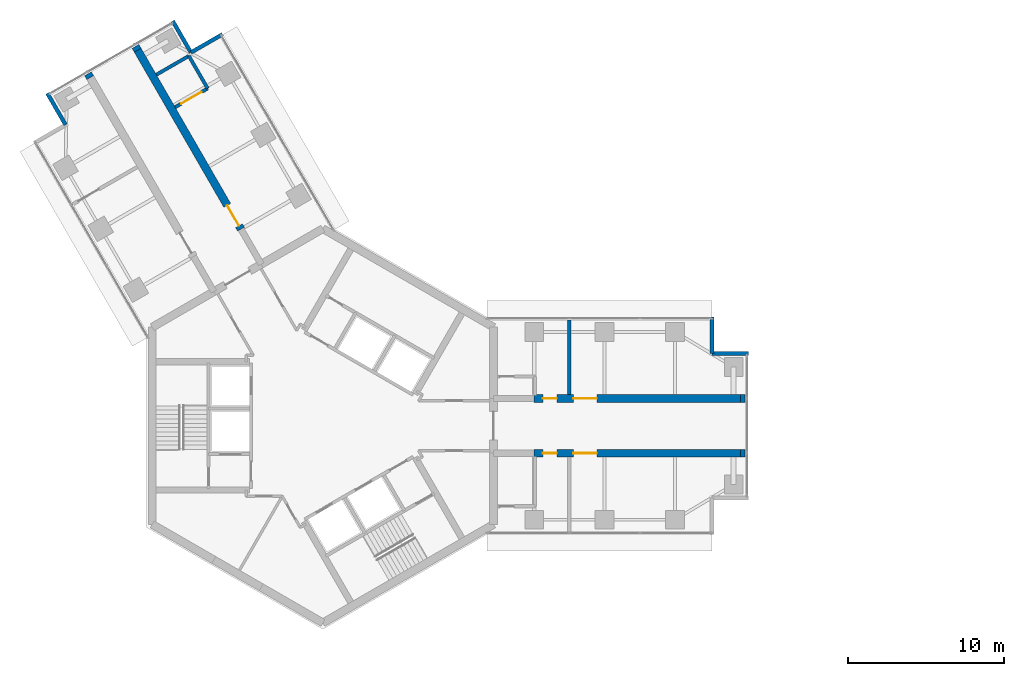
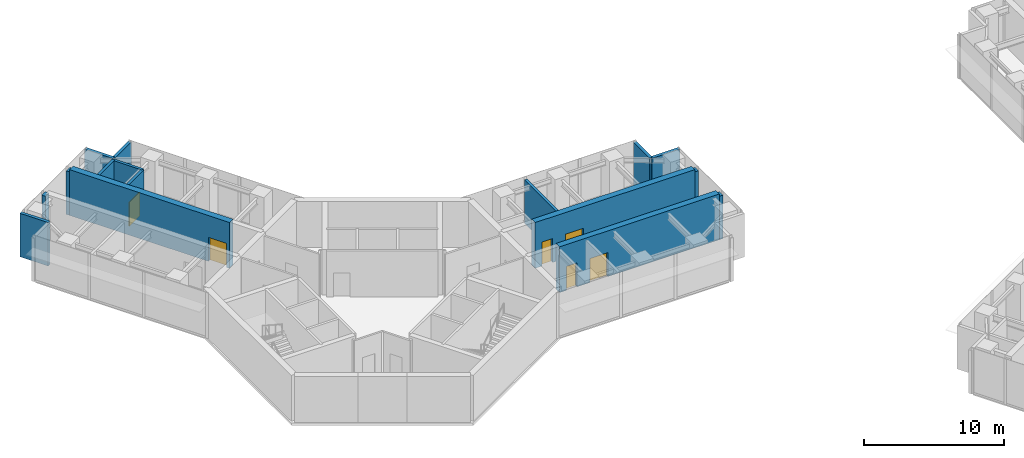
# One storey, part 13 of 17: 16 walls, 6 doors, 6 openings.
"""IFC4 building model written with IfcOpenShell, lengths in metres."""

import ifcopenshell
import ifcopenshell.guid

model = None  # the IFC model being written
_history = None  # IfcOwnerHistory: only IFC2X3 demands one
_inside = {}  # id of a spatial element -> (the spatial element, [elements in it])
_under = {}  # id of a project, library or spatial element -> (it, [spatial elements below it])
_declared = {}  # id of a project -> (the project, [libraries it declares])
_typed = {}  # id of a type object -> (the type object, [elements of that type])
_made_of = {}  # id of a material, layer set ... -> (it, [elements and type objects made of it])


def new_model(schema):
    """Start an empty IFC model of exactly this schema.

    Asked for "IFC4X3", IfcOpenShell would pick the latest addendum, in which some entities
    have other attributes; the version numbers below select the first issue.
    IFC2X3 requires an IfcOwnerHistory on every rooted entity: one is made here for all.
    """
    global model, _history
    if schema == "IFC4X3":
        model = ifcopenshell.file(schema_version=(4, 3, 0, 0))
    else:
        model = ifcopenshell.file(schema=schema)
    _inside.clear()
    _under.clear()
    _declared.clear()
    _typed.clear()
    _made_of.clear()
    _history = None
    if model.schema == "IFC2X3":
        org = make("IfcOrganization", Name="unknown")
        user = make(
            "IfcPersonAndOrganization",
            ThePerson=make("IfcPerson", FamilyName="unknown"),
            TheOrganization=org,
        )
        app = make(
            "IfcApplication",
            ApplicationDeveloper=org,
            Version="unknown",
            ApplicationFullName="unknown",
            ApplicationIdentifier="unknown",
        )
        _history = make(
            "IfcOwnerHistory",
            OwningUser=user,
            OwningApplication=app,
            ChangeAction="ADDED",
            CreationDate=0,
        )
    return model


def make(cls, **values):
    """One entity of the class cls with the attributes given. An attribute that is None is left unset."""
    return model.create_entity(
        cls, **{name: value for name, value in values.items() if value is not None}
    )


def rooted(cls, **values):
    """An entity with a GlobalId (a new one), such as an element, a storey or a relation."""
    return make(cls, GlobalId=ifcopenshell.guid.new(), OwnerHistory=_history, **values)


def si_unit(unit_type, name, prefix=None):
    """IfcSIUnit, for example si_unit("LENGTHUNIT", "METRE", prefix="MILLI")."""
    return make("IfcSIUnit", UnitType=unit_type, Prefix=prefix, Name=name)


def assignment(units):
    """IfcUnitAssignment: the units of a project."""
    return None if units is None else make("IfcUnitAssignment", Units=units)


def point(xyz):
    """IfcCartesianPoint."""
    return None if xyz is None else make("IfcCartesianPoint", Coordinates=xyz)


def direction(xyz):
    """IfcDirection."""
    return None if xyz is None else make("IfcDirection", DirectionRatios=xyz)


def frame(location, z_axis=None, x_axis=None):
    """IfcAxis2Placement3D, a coordinate frame: its origin and axes. An axis left out is left unset."""
    return make(
        "IfcAxis2Placement3D",
        Location=point(location),
        Axis=direction(z_axis),
        RefDirection=direction(x_axis),
    )


def frame_2d(location, x_axis=None):
    """IfcAxis2Placement2D, a coordinate frame in the plane: its origin and x axis."""
    return make(
        "IfcAxis2Placement2D", Location=point(location), RefDirection=direction(x_axis)
    )


def origin():
    """The frame at (0, 0, 0) with its axes left unset."""
    return frame((0.0, 0.0, 0.0))


def place(relative_to, where):
    """IfcLocalPlacement: puts the frame where relative to a parent placement (None: the world)."""
    return make(
        "IfcLocalPlacement", PlacementRelTo=relative_to, RelativePlacement=where
    )


def context(
    kind, dimensions, precision=None, world=None, true_north=None, identifier=None
):
    """IfcGeometricRepresentationContext, for example the 3D "Model" context."""
    return make(
        "IfcGeometricRepresentationContext",
        ContextIdentifier=identifier,
        ContextType=kind,
        CoordinateSpaceDimension=dimensions,
        Precision=precision,
        WorldCoordinateSystem=world,
        TrueNorth=true_north,
    )


def subcontext(parent, identifier, kind, view, scale=None):
    """IfcGeometricRepresentationSubContext, for example "Body" below "Model"."""
    return make(
        "IfcGeometricRepresentationSubContext",
        ContextIdentifier=identifier,
        ContextType=kind,
        ParentContext=parent,
        TargetScale=scale,
        TargetView=view,
    )


def project(units=None, contexts=None):
    """IfcProject with its units and contexts."""
    return rooted(
        "IfcProject",
        Name="project",
        RepresentationContexts=contexts,
        UnitsInContext=assignment(units),
    )


def spatial(cls, under=None, at=None, **own):
    """A site, building, storey or space (cls), placed at a placement, below another one or the project."""
    s = rooted(cls, ObjectPlacement=at, **own)
    if under is not None:
        _under.setdefault(under.id(), (under, []))[1].append(s)
    return s


def profile(cls, at=None, kind="AREA", **sizes):
    """A parametric profile (cls). Its sizes go by their IFC names, for example OverallWidth=200.0."""
    return make(cls, ProfileType=kind, Position=at, **sizes)


def rectangle(**sizes):
    """IfcRectangleProfileDef."""
    return profile("IfcRectangleProfileDef", **sizes)


def extrude(swept, where, along, depth):
    """IfcExtrudedAreaSolid: the profile swept, set in the frame where, extruded along a direction by depth."""
    return make(
        "IfcExtrudedAreaSolid",
        SweptArea=swept,
        Position=where,
        ExtrudedDirection=direction(along),
        Depth=depth,
    )


def shape(context_of_items, identifier, shape_type, items):
    """IfcShapeRepresentation: the items that make up one representation, for example the "Body"."""
    return make(
        "IfcShapeRepresentation",
        ContextOfItems=context_of_items,
        RepresentationIdentifier=identifier,
        RepresentationType=shape_type,
        Items=items,
    )


def material(Name=None, Category=None):
    """IfcMaterial."""
    return make("IfcMaterial", Name=Name, Category=Category)


def layer(
    of_material, thickness, ventilated=None, Name=None, Category=None, Priority=None
):
    """IfcMaterialLayer: one layer of a wall or slab, of a material (None: an air gap)."""
    return make(
        "IfcMaterialLayer",
        Material=of_material,
        LayerThickness=thickness,
        IsVentilated=ventilated,
        Name=Name,
        Category=Category,
        Priority=Priority,
    )


def layer_set(layers, Name=None):
    """IfcMaterialLayerSet."""
    return make("IfcMaterialLayerSet", MaterialLayers=layers, LayerSetName=Name)


def made_of(thing, what):
    """Note that an element or type object is made of a material, layer set ...; save() writes the relation."""
    if what is not None:
        _made_of.setdefault(what.id(), (what, []))[1].append(thing)
    return thing


def type_object(cls, material=None, **own):
    """A type object (cls), such as IfcWallType, which elements share."""
    return made_of(rooted(cls, **own), material)


def element(
    cls,
    number,
    at=None,
    inside=None,
    cuts=None,
    type_object=None,
    material=None,
    context=None,
    identifier="Body",
    shape_type=None,
    held_by="IfcProductDefinitionShape",
    body=None,
    shapes=None,
    **own,
):
    """One element of the class cls, such as IfcWall. Its Tag is "e" and its number.

    at: its placement. inside: the storey or other place that contains it. cuts: it is an
    opening in that element (IfcRelVoidsElement). A single representation is given by context,
    identifier, shape_type and body (its items); several are given by shapes. held_by: the class
    of the entity that holds the representations. save() writes the other relations.
    """
    e = rooted(cls, Tag="e%d" % number, ObjectPlacement=at, **own)
    if body is not None:
        shapes = [shape(context, identifier, shape_type, body)]
    if shapes is not None:
        e.Representation = make(held_by, Representations=shapes)
    if inside is not None:
        _inside.setdefault(inside.id(), (inside, []))[1].append(e)
    if cuts is not None:
        rooted(
            "IfcRelVoidsElement", RelatingBuildingElement=cuts, RelatedOpeningElement=e
        )
    if type_object is not None:
        _typed.setdefault(type_object.id(), (type_object, []))[1].append(e)
    return made_of(e, material)


def fill(opening, filler):
    """IfcRelFillsElement: the door or window that sits in an opening."""
    return rooted(
        "IfcRelFillsElement",
        RelatingOpeningElement=opening,
        RelatedBuildingElement=filler,
    )


def aggregate(whole, parts):
    """IfcRelAggregates: a whole, such as a stair, and the parts it consists of."""
    return rooted("IfcRelAggregates", RelatingObject=whole, RelatedObjects=parts)


def save(model, path):
    """Write the relations noted so far, then the file.

    IfcRelAggregates (storeys below a building ...), IfcRelContainedInSpatialStructure (elements
    in a storey), IfcRelDefinesByType, IfcRelAssociatesMaterial and IfcRelDeclares: one each for
    every whole, place, type object, material and project.
    """
    for whole, parts in _under.values():
        aggregate(whole, parts)
    for where, things in _inside.values():
        rooted(
            "IfcRelContainedInSpatialStructure",
            RelatedElements=things,
            RelatingStructure=where,
        )
    for kind, things in _typed.values():
        rooted("IfcRelDefinesByType", RelatedObjects=things, RelatingType=kind)
    for what, things in _made_of.values():
        rooted("IfcRelAssociatesMaterial", RelatedObjects=things, RelatingMaterial=what)
    for by, libraries in _declared.values():
        rooted("IfcRelDeclares", RelatingContext=by, RelatedDefinitions=libraries)
    model.write(path)


model = new_model("IFC4")

# Units and contexts
model_context = context("Model", 3, precision=1e-05, world=origin(), true_north=direction((0.0, 1.0)))
body_context = subcontext(model_context, "Body", "Model", "MODEL_VIEW")
ifc_project = project(units=[si_unit("LENGTHUNIT", "METRE"), si_unit("AREAUNIT", "SQUARE_METRE"), si_unit("VOLUMEUNIT", "CUBIC_METRE"), si_unit("PLANEANGLEUNIT", "RADIAN"), si_unit("MASSUNIT", "GRAM", prefix="KILO")], contexts=[model_context])

# Site, building, storey
site_placement = place(None, origin())
site = spatial("IfcSite", under=ifc_project, at=site_placement, CompositionType="ELEMENT")
building_placement = place(site_placement, origin())
building = spatial("IfcBuilding", under=site, at=building_placement, Name="Upepo Twin Towers", CompositionType="ELEMENT")
storey_placement = place(building_placement, frame((0.0, 0.0, 174.5)))
storey = spatial("IfcBuildingStorey", under=building, at=storey_placement, Name="L42", CompositionType="ELEMENT", Elevation=174.5)

# Walls
ifc_material_1 = material(Name="Concrete blockwork, plastered both faces", Category="masonry")
ifc_layer_1 = layer(ifc_material_1, 0.215087890625)
ifc_layer_set_1 = layer_set([ifc_layer_1], Name="Blockwork partition 215")
wall_type_1 = type_object("IfcWallType", Name="Blockwork partition 215", PredefinedType="PARTITIONING", material=ifc_layer_set_1)
wall_1_placement = place(storey_placement, frame((15.75, 2.0, 0.0), z_axis=(0.0, 0.0, 1.0), x_axis=(0.0, 1.0, 0.0)))
element("IfcWall", 1, at=wall_1_placement, inside=storey, type_object=wall_type_1, Name="T1 partition AL at 15.75", PredefinedType="PARTITIONING", context=body_context, shape_type="SweptSolid", body=[
    extrude(rectangle(XDim=4.75, YDim=0.215087890625, at=frame_2d((2.375, 0.0))), origin(), (0.0, 0.0, 1.0), 3.800048828125),
])
wall_2_placement = place(storey_placement, frame((-7.364501953125, 21.5556640625, 0.0), z_axis=(0.0, 0.0, 1.0), x_axis=(-0.500001309137, 0.866024647952, 0.0)))
element("IfcWall", 2, at=wall_2_placement, inside=storey, type_object=wall_type_1, Name="T1 inner room partition BR at 22.35", PredefinedType="PARTITIONING", context=body_context, shape_type="SweptSolid", body=[
    extrude(rectangle(XDim=2.39990234375, YDim=0.215087890625, at=frame_2d((1.199951171875, 0.0))), origin(), (0.0, 0.0, 1.0), 3.800048828125),
])

# Wall, opening, door
wall_3_placement = place(storey_placement, frame((-9.44287109375, 20.355712890625, 0.0), z_axis=(0.0, 0.0, 1.0), x_axis=(0.866024647952, 0.500001309137, 0.0)))
wall_3 = element("IfcWall", 3, at=wall_3_placement, inside=storey, type_object=wall_type_1, Name="T1 inner room partition BR end at 22.35", PredefinedType="PARTITIONING", context=body_context, shape_type="SweptSolid", body=[
    extrude(rectangle(XDim=2.39990234375, YDim=0.215087890625, at=frame_2d((1.199951171875, 0.0))), origin(), (0.0, 0.0, 1.0), 3.800048828125),
])
opening_1_placement = place(wall_3_placement, frame((0.449951171875, 0.0, 0.0)))
opening_1 = element("IfcOpeningElement", 4, at=opening_1_placement, cuts=wall_3, Name="Opening D13", PredefinedType="OPENING", context=body_context, shape_type="SweptSolid", body=[
    extrude(rectangle(XDim=1.5, YDim=2.10009765625, at=frame_2d((0.75, 1.050048828125))), frame((0.0, 0.117431640625, 0.0), z_axis=(0.0, -1.0, 0.0), x_axis=(1.0, 0.0, 0.0)), (0.0, 0.0, 1.0), 0.235107421875),
])
ifc_material_2 = material(Name="Timber doorset", Category="wood")
door_type_1 = type_object("IfcDoorType", Name="Double door 1500 FD30", OperationType="DOUBLE_DOOR_SINGLE_SWING", PredefinedType="DOOR", material=ifc_material_2)
door_1_placement = place(opening_1_placement, origin())
door_1 = element("IfcDoor", 5, at=door_1_placement, inside=storey, type_object=door_type_1, Name="T1 L42 inner room door", OperationType="DOUBLE_DOOR_SINGLE_SWING", OverallHeight=2.10009765625, OverallWidth=1.5, PredefinedType="DOOR", context=body_context, shape_type="SweptSolid", body=[
    extrude(rectangle(XDim=1.5, YDim=2.10009765625, at=frame_2d((0.75, 1.050048828125))), frame((0.0, 0.02490234375, 0.0), z_axis=(0.0, -1.0, 0.0), x_axis=(1.0, 0.0, 0.0)), (0.0, 0.0, 1.0), 0.050048828125),
])
fill(opening_1, door_1)

# Walls
wall_4_placement = place(storey_placement, frame((-10.64306640625, 22.43408203125, 0.0), z_axis=(0.0, 0.0, 1.0), x_axis=(0.866050077142, 0.499957262057, 0.0)))
element("IfcWall", 6, at=wall_4_placement, inside=storey, type_object=wall_type_1, Name="T1 inner room partition BR end at 24.75", PredefinedType="PARTITIONING", context=body_context, shape_type="SweptSolid", body=[
    extrude(rectangle(XDim=2.400146484375, YDim=0.215087890625, at=frame_2d((1.2001953125, 0.0))), origin(), (0.0, 0.0, 1.0), 3.800048828125),
])
ifc_material_3 = material(Name="Dense concrete blockwork", Category="masonry")
ifc_layer_2 = layer(ifc_material_3, 0.5)
ifc_layer_set_2 = layer_set([ifc_layer_2], Name="Buttress closer 500, blockwork with fire-stopping to the curtain wall")
wall_type_2 = type_object("IfcWallType", Name="Buttress closer 500, blockwork with fire-stopping to the curtain wall", PredefinedType="PARTITIONING", material=ifc_layer_set_2)
for number, where, z_axis, x_axis, name in (
    (7, (26.699951171875, 1.75, 0.0), (0.0, 0.0, 1.0), (1.0, 0.0, 0.0), "T1 L42 wing A buttress closer L"),
    (8, (26.699951171875, -1.75, 0.0), (0.0, 0.0, 1.0), (1.0, 0.0, 0.0), "T1 L42 wing A buttress closer R"),
    (9, (-14.865478515625, 22.247802734375, 0.0), (0.0, 0.0, 1.0), (-0.500065409566, 0.86598763626, 0.0), "T1 L42 wing B buttress closer L"),
    (10, (-11.83447265625, 23.997802734375, 0.0), (0.0, 0.0, 1.0), (-0.500065409566, 0.86598763626, 0.0), "T1 L42 wing B buttress closer R"),
):
    element("IfcWall", number, at=place(storey_placement, frame(where, z_axis=z_axis, x_axis=x_axis)), inside=storey, type_object=wall_type_2, Name=name, PredefinedType="PARTITIONING", context=body_context, shape_type="SweptSolid", body=[
        extrude(rectangle(XDim=0.28759765625, YDim=0.5, at=frame_2d((0.143798828125, 0.0))), origin(), (0.0, 0.0, 1.0), 3.800048828125),
    ])

# Wall, openings, doors
ifc_material_4 = material(Name="Concrete C60/75", Category="concrete")
ifc_layer_3 = layer(ifc_material_4, 0.5)
ifc_layer_set_3 = layer_set([ifc_layer_3], Name="Concrete C60/75")
wall_type_3 = type_object("IfcWallType", Name="Buttress wall 500 RC", PredefinedType="SHEAR", material=ifc_layer_set_3)
wall_5_placement = place(storey_placement, frame((13.5, 1.75, 0.0), z_axis=(0.0, 0.0, 1.0), x_axis=(1.0, 0.0, 0.0)))
wall_5 = element("IfcWall", 11, at=wall_5_placement, inside=storey, type_object=wall_type_3, Name="T1 wing A buttress wall L part 2", PredefinedType="SHEAR", context=body_context, shape_type="SweptSolid", body=[
    extrude(rectangle(XDim=13.199951171875, YDim=0.5, at=frame_2d((6.60009765625, 0.0))), origin(), (0.0, 0.0, 1.0), 4.0),
])
opening_2_placement = place(wall_5_placement, frame((0.550048828125, 0.0, 0.0)))
opening_2 = element("IfcOpeningElement", 12, at=opening_2_placement, cuts=wall_5, Name="Opening D11", PredefinedType="OPENING", context=body_context, shape_type="SweptSolid", body=[
    extrude(rectangle(XDim=0.89990234375, YDim=2.10009765625, at=frame_2d((0.449951171875, 1.050048828125))), frame((0.0, 0.260009765625, 0.0), z_axis=(0.0, -1.0, 0.0), x_axis=(1.0, 0.0, 0.0)), (0.0, 0.0, 1.0), 0.52001953125),
])
opening_3_placement = place(wall_5_placement, frame((2.5, 0.0, 0.0)))
opening_3 = element("IfcOpeningElement", 13, at=opening_3_placement, cuts=wall_5, Name="Opening D13", PredefinedType="OPENING", context=body_context, shape_type="SweptSolid", body=[
    extrude(rectangle(XDim=1.5, YDim=2.10009765625, at=frame_2d((0.75, 1.050048828125))), frame((0.0, 0.260009765625, 0.0), z_axis=(0.0, -1.0, 0.0), x_axis=(1.0, 0.0, 0.0)), (0.0, 0.0, 1.0), 0.52001953125),
])
door_2_placement = place(opening_3_placement, origin())
door_2 = element("IfcDoor", 14, at=door_2_placement, inside=storey, type_object=door_type_1, Name="T1 L42 engineering laboratory door", OperationType="DOUBLE_DOOR_SINGLE_SWING", OverallHeight=2.10009765625, OverallWidth=1.5, PredefinedType="DOOR", context=body_context, shape_type="SweptSolid", body=[
    extrude(rectangle(XDim=1.5, YDim=2.10009765625, at=frame_2d((0.75, 1.050048828125))), frame((0.0, 0.02490234375, 0.0), z_axis=(0.0, -1.0, 0.0), x_axis=(1.0, 0.0, 0.0)), (0.0, 0.0, 1.0), 0.050048828125),
])
fill(opening_3, door_2)
ifc_material_5 = material(Name="Timber doorset", Category="wood")
door_type_2 = type_object("IfcDoorType", Name="Toilet door 900", OperationType="SINGLE_SWING_LEFT", PredefinedType="DOOR", material=ifc_material_5)
door_3_placement = place(opening_2_placement, origin())
door_3 = element("IfcDoor", 15, at=door_3_placement, inside=storey, type_object=door_type_2, Name="T1 L42 toilets door", OperationType="SINGLE_SWING_LEFT", OverallHeight=2.10009765625, OverallWidth=0.89990234375, PredefinedType="DOOR", context=body_context, shape_type="SweptSolid", body=[
    extrude(rectangle(XDim=0.89990234375, YDim=2.10009765625, at=frame_2d((0.449951171875, 1.050048828125))), frame((0.0, 0.02490234375, 0.0), z_axis=(0.0, -1.0, 0.0), x_axis=(1.0, 0.0, 0.0)), (0.0, 0.0, 1.0), 0.050048828125),
])
fill(opening_2, door_3)

wall_6_placement = place(storey_placement, frame((13.5, -1.75, 0.0), z_axis=(0.0, 0.0, 1.0), x_axis=(1.0, 0.0, 0.0)))
wall_6 = element("IfcWall", 16, at=wall_6_placement, inside=storey, type_object=wall_type_3, Name="T1 wing A buttress wall R part 2", PredefinedType="SHEAR", context=body_context, shape_type="SweptSolid", body=[
    extrude(rectangle(XDim=13.199951171875, YDim=0.5, at=frame_2d((6.60009765625, 0.0))), origin(), (0.0, 0.0, 1.0), 4.0),
])
opening_4_placement = place(wall_6_placement, frame((0.550048828125, 0.0, 0.0)))
opening_4 = element("IfcOpeningElement", 17, at=opening_4_placement, cuts=wall_6, Name="Opening D11", PredefinedType="OPENING", context=body_context, shape_type="SweptSolid", body=[
    extrude(rectangle(XDim=0.89990234375, YDim=2.10009765625, at=frame_2d((0.449951171875, 1.050048828125))), frame((0.0, 0.260009765625, 0.0), z_axis=(0.0, -1.0, 0.0), x_axis=(1.0, 0.0, 0.0)), (0.0, 0.0, 1.0), 0.52001953125),
])
opening_5_placement = place(wall_6_placement, frame((2.5, 0.0, 0.0)))
opening_5 = element("IfcOpeningElement", 18, at=opening_5_placement, cuts=wall_6, Name="Opening D13", PredefinedType="OPENING", context=body_context, shape_type="SweptSolid", body=[
    extrude(rectangle(XDim=1.5, YDim=2.10009765625, at=frame_2d((0.75, 1.050048828125))), frame((0.0, 0.260009765625, 0.0), z_axis=(0.0, -1.0, 0.0), x_axis=(1.0, 0.0, 0.0)), (0.0, 0.0, 1.0), 0.52001953125),
])
door_4_placement = place(opening_5_placement, origin())
door_4 = element("IfcDoor", 19, at=door_4_placement, inside=storey, type_object=door_type_1, Name="T1 L42 engineering laboratory door", OperationType="DOUBLE_DOOR_SINGLE_SWING", OverallHeight=2.10009765625, OverallWidth=1.5, PredefinedType="DOOR", context=body_context, shape_type="SweptSolid", body=[
    extrude(rectangle(XDim=1.5, YDim=2.10009765625, at=frame_2d((0.75, 1.050048828125))), frame((0.0, 0.02490234375, 0.0), z_axis=(0.0, -1.0, 0.0), x_axis=(1.0, 0.0, 0.0)), (0.0, 0.0, 1.0), 0.050048828125),
])
fill(opening_5, door_4)
door_5_placement = place(opening_4_placement, origin())
door_5 = element("IfcDoor", 20, at=door_5_placement, inside=storey, type_object=door_type_2, Name="T1 L42 accessible wc door", OperationType="SINGLE_SWING_LEFT", OverallHeight=2.10009765625, OverallWidth=0.89990234375, PredefinedType="DOOR", context=body_context, shape_type="SweptSolid", body=[
    extrude(rectangle(XDim=0.89990234375, YDim=2.10009765625, at=frame_2d((0.449951171875, 1.050048828125))), frame((0.0, 0.02490234375, 0.0), z_axis=(0.0, -1.0, 0.0), x_axis=(1.0, 0.0, 0.0)), (0.0, 0.0, 1.0), 0.050048828125),
])
fill(opening_4, door_5)

# Wall, opening, door
wall_7_placement = place(storey_placement, frame((-5.234375, 12.56640625, 0.0), z_axis=(0.0, 0.0, 1.0), x_axis=(-0.500010103361, 0.866019570528, 0.0)))
wall_7 = element("IfcWall", 21, at=wall_7_placement, inside=storey, type_object=wall_type_3, Name="T1 wing B buttress wall R part 2", PredefinedType="SHEAR", context=body_context, shape_type="SweptSolid", body=[
    extrude(rectangle(XDim=13.199951171875, YDim=0.5, at=frame_2d((6.60009765625, 0.0))), origin(), (0.0, 0.0, 1.0), 4.0),
])
opening_6_placement = place(wall_7_placement, frame((0.25, 0.0, 0.0)))
opening_6 = element("IfcOpeningElement", 22, at=opening_6_placement, cuts=wall_7, Name="Opening D13", PredefinedType="OPENING", context=body_context, shape_type="SweptSolid", body=[
    extrude(rectangle(XDim=1.5, YDim=2.10009765625, at=frame_2d((0.75, 1.050048828125))), frame((0.0, 0.260009765625, 0.0), z_axis=(0.0, -1.0, 0.0), x_axis=(1.0, 0.0, 0.0)), (0.0, 0.0, 1.0), 0.52001953125),
])
door_6_placement = place(opening_6_placement, origin())
door_6 = element("IfcDoor", 23, at=door_6_placement, inside=storey, type_object=door_type_1, Name="T1 L42 engineering laboratory door", OperationType="DOUBLE_DOOR_SINGLE_SWING", OverallHeight=2.10009765625, OverallWidth=1.5, PredefinedType="DOOR", context=body_context, shape_type="SweptSolid", body=[
    extrude(rectangle(XDim=1.5, YDim=2.10009765625, at=frame_2d((0.75, 1.050048828125))), frame((0.0, 0.02490234375, 0.0), z_axis=(0.0, -1.0, 0.0), x_axis=(1.0, 0.0, 0.0)), (0.0, 0.0, 1.0), 0.050048828125),
])
fill(opening_6, door_6)

# Walls
ifc_material_6 = material(Name="Blockwork with anodised aluminium cladding", Category="masonry")
ifc_layer_4 = layer(ifc_material_6, 0.25)
ifc_layer_set_4 = layer_set([ifc_layer_4], Name="Notch cladding wall 250, pale metal")
wall_type_4 = type_object("IfcWallType", Name="Notch cladding wall 250, pale metal", PredefinedType="STANDARD", material=ifc_layer_set_4)
for number, where, z_axis, x_axis, name in (
    (24, (24.875, 6.949951171875, 0.0), (0.0, 0.0, 1.0), (0.0, -1.0, 0.0), "T1 L42 wing A notch wall L1"),
    (25, (24.875, 4.625, 0.0), (0.0, 0.0, 1.0), (1.0, 0.0, 0.0), "T1 L42 wing A notch wall L2"),
    (26, (-16.44287109375, 19.22998046875, 0.0), (0.0, 0.0, 1.0), (-0.500046648681, 0.865998469481, 0.0), "T1 L42 wing B notch wall L2"),
    (27, (-6.418701171875, 25.017333984375, 0.0), (0.0, 0.0, 1.0), (-0.866043940782, -0.499967891604, 0.0), "T1 L42 wing B notch wall R1"),
    (28, (-8.43212890625, 23.85498046875, 0.0), (0.0, 0.0, 1.0), (-0.500046648681, 0.865998469481, 0.0), "T1 L42 wing B notch wall R2"),
):
    element("IfcWall", number, at=place(storey_placement, frame(where, z_axis=z_axis, x_axis=x_axis)), inside=storey, type_object=wall_type_4, Name=name, PredefinedType="STANDARD", context=body_context, shape_type="SweptSolid", body=[
        extrude(rectangle(XDim=2.324951171875, YDim=0.25, at=frame_2d((1.16259765625, 0.0))), origin(), (0.0, 0.0, 1.0), 3.800048828125),
    ])

save(model, "model.ifc")
